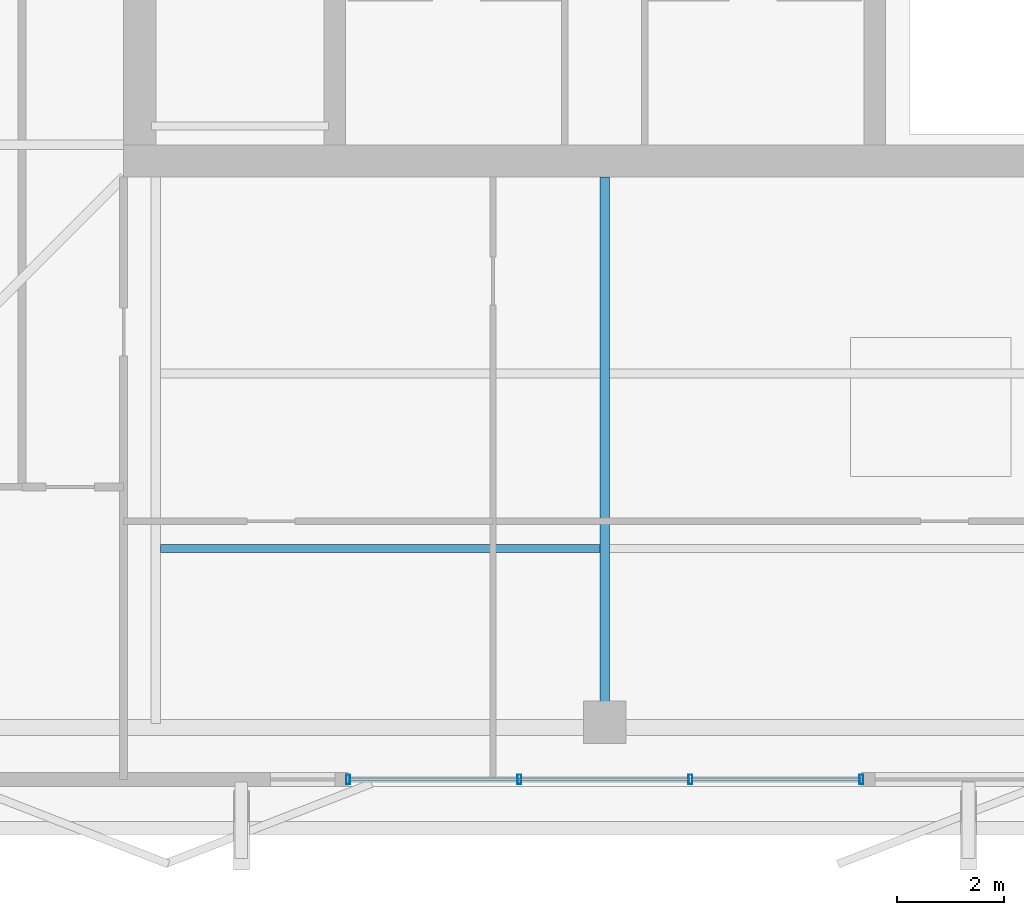
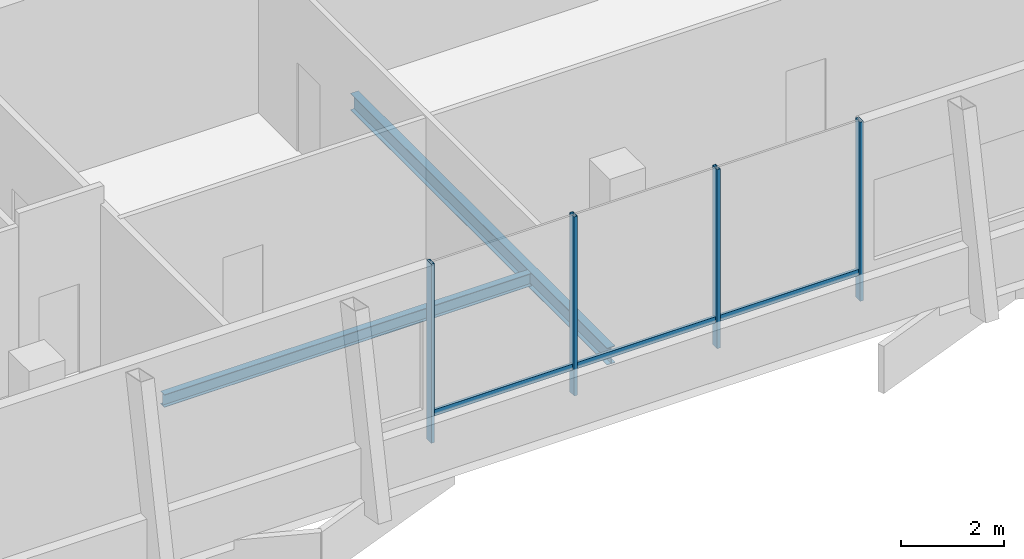
# One storey, part 2 of 17: 7 members, 2 beams, 1 element without a shape of its own.
"""IFC4 building model written with IfcOpenShell, lengths in metres."""

import ifcopenshell
import ifcopenshell.guid

model = None  # the IFC model being written
_history = None  # IfcOwnerHistory: only IFC2X3 demands one
_inside = {}  # id of a spatial element -> (the spatial element, [elements in it])
_under = {}  # id of a project, library or spatial element -> (it, [spatial elements below it])
_declared = {}  # id of a project -> (the project, [libraries it declares])
_typed = {}  # id of a type object -> (the type object, [elements of that type])
_made_of = {}  # id of a material, layer set ... -> (it, [elements and type objects made of it])


def new_model(schema):
    """Start an empty IFC model of exactly this schema.

    Asked for "IFC4X3", IfcOpenShell would pick the latest addendum, in which some entities
    have other attributes; the version numbers below select the first issue.
    IFC2X3 requires an IfcOwnerHistory on every rooted entity: one is made here for all.
    """
    global model, _history
    if schema == "IFC4X3":
        model = ifcopenshell.file(schema_version=(4, 3, 0, 0))
    else:
        model = ifcopenshell.file(schema=schema)
    _inside.clear()
    _under.clear()
    _declared.clear()
    _typed.clear()
    _made_of.clear()
    _history = None
    if model.schema == "IFC2X3":
        org = make("IfcOrganization", Name="unknown")
        user = make(
            "IfcPersonAndOrganization",
            ThePerson=make("IfcPerson", FamilyName="unknown"),
            TheOrganization=org,
        )
        app = make(
            "IfcApplication",
            ApplicationDeveloper=org,
            Version="unknown",
            ApplicationFullName="unknown",
            ApplicationIdentifier="unknown",
        )
        _history = make(
            "IfcOwnerHistory",
            OwningUser=user,
            OwningApplication=app,
            ChangeAction="ADDED",
            CreationDate=0,
        )
    return model


def make(cls, **values):
    """One entity of the class cls with the attributes given. An attribute that is None is left unset."""
    return model.create_entity(
        cls, **{name: value for name, value in values.items() if value is not None}
    )


def rooted(cls, **values):
    """An entity with a GlobalId (a new one), such as an element, a storey or a relation."""
    return make(cls, GlobalId=ifcopenshell.guid.new(), OwnerHistory=_history, **values)


def si_unit(unit_type, name, prefix=None):
    """IfcSIUnit, for example si_unit("LENGTHUNIT", "METRE", prefix="MILLI")."""
    return make("IfcSIUnit", UnitType=unit_type, Prefix=prefix, Name=name)


def assignment(units):
    """IfcUnitAssignment: the units of a project."""
    return None if units is None else make("IfcUnitAssignment", Units=units)


def point(xyz):
    """IfcCartesianPoint."""
    return None if xyz is None else make("IfcCartesianPoint", Coordinates=xyz)


def direction(xyz):
    """IfcDirection."""
    return None if xyz is None else make("IfcDirection", DirectionRatios=xyz)


def frame(location, z_axis=None, x_axis=None):
    """IfcAxis2Placement3D, a coordinate frame: its origin and axes. An axis left out is left unset."""
    return make(
        "IfcAxis2Placement3D",
        Location=point(location),
        Axis=direction(z_axis),
        RefDirection=direction(x_axis),
    )


def frame_2d(location, x_axis=None):
    """IfcAxis2Placement2D, a coordinate frame in the plane: its origin and x axis."""
    return make(
        "IfcAxis2Placement2D", Location=point(location), RefDirection=direction(x_axis)
    )


def origin():
    """The frame at (0, 0, 0) with its axes left unset."""
    return frame((0.0, 0.0, 0.0))


def origin_2d():
    """The frame at (0, 0) in the plane with its x axis left unset."""
    return frame_2d((0.0, 0.0))


def place(relative_to, where):
    """IfcLocalPlacement: puts the frame where relative to a parent placement (None: the world)."""
    return make(
        "IfcLocalPlacement", PlacementRelTo=relative_to, RelativePlacement=where
    )


def context(
    kind, dimensions, precision=None, world=None, true_north=None, identifier=None
):
    """IfcGeometricRepresentationContext, for example the 3D "Model" context."""
    return make(
        "IfcGeometricRepresentationContext",
        ContextIdentifier=identifier,
        ContextType=kind,
        CoordinateSpaceDimension=dimensions,
        Precision=precision,
        WorldCoordinateSystem=world,
        TrueNorth=true_north,
    )


def subcontext(parent, identifier, kind, view, scale=None):
    """IfcGeometricRepresentationSubContext, for example "Body" below "Model"."""
    return make(
        "IfcGeometricRepresentationSubContext",
        ContextIdentifier=identifier,
        ContextType=kind,
        ParentContext=parent,
        TargetScale=scale,
        TargetView=view,
    )


def project(units=None, contexts=None):
    """IfcProject with its units and contexts."""
    return rooted(
        "IfcProject",
        Name="project",
        RepresentationContexts=contexts,
        UnitsInContext=assignment(units),
    )


def spatial(cls, under=None, at=None, **own):
    """A site, building, storey or space (cls), placed at a placement, below another one or the project."""
    s = rooted(cls, ObjectPlacement=at, **own)
    if under is not None:
        _under.setdefault(under.id(), (under, []))[1].append(s)
    return s


def profile(cls, at=None, kind="AREA", **sizes):
    """A parametric profile (cls). Its sizes go by their IFC names, for example OverallWidth=200.0."""
    return make(cls, ProfileType=kind, Position=at, **sizes)


def hollow_rectangle(**sizes):
    """IfcRectangleHollowProfileDef."""
    return profile("IfcRectangleHollowProfileDef", **sizes)


def i_section(**sizes):
    """IfcIShapeProfileDef."""
    return profile("IfcIShapeProfileDef", **sizes)


def extrude(swept, where, along, depth):
    """IfcExtrudedAreaSolid: the profile swept, set in the frame where, extruded along a direction by depth."""
    return make(
        "IfcExtrudedAreaSolid",
        SweptArea=swept,
        Position=where,
        ExtrudedDirection=direction(along),
        Depth=depth,
    )


def shape(context_of_items, identifier, shape_type, items):
    """IfcShapeRepresentation: the items that make up one representation, for example the "Body"."""
    return make(
        "IfcShapeRepresentation",
        ContextOfItems=context_of_items,
        RepresentationIdentifier=identifier,
        RepresentationType=shape_type,
        Items=items,
    )


def material(Name=None, Category=None):
    """IfcMaterial."""
    return make("IfcMaterial", Name=Name, Category=Category)


def layer(
    of_material, thickness, ventilated=None, Name=None, Category=None, Priority=None
):
    """IfcMaterialLayer: one layer of a wall or slab, of a material (None: an air gap)."""
    return make(
        "IfcMaterialLayer",
        Material=of_material,
        LayerThickness=thickness,
        IsVentilated=ventilated,
        Name=Name,
        Category=Category,
        Priority=Priority,
    )


def layer_set(layers, Name=None):
    """IfcMaterialLayerSet."""
    return make("IfcMaterialLayerSet", MaterialLayers=layers, LayerSetName=Name)


def material_profile(
    of_material, cross_section, Name=None, Category=None, Priority=None
):
    """IfcMaterialProfile: a cross section and its material."""
    return make(
        "IfcMaterialProfile",
        Name=Name,
        Material=of_material,
        Profile=cross_section,
        Priority=Priority,
        Category=Category,
    )


def profile_set(profiles, Name=None, composite=None):
    """IfcMaterialProfileSet."""
    return make(
        "IfcMaterialProfileSet",
        Name=Name,
        MaterialProfiles=profiles,
        CompositeProfile=composite,
    )


def made_of(thing, what):
    """Note that an element or type object is made of a material, layer set ...; save() writes the relation."""
    if what is not None:
        _made_of.setdefault(what.id(), (what, []))[1].append(thing)
    return thing


def type_object(cls, material=None, **own):
    """A type object (cls), such as IfcWallType, which elements share."""
    return made_of(rooted(cls, **own), material)


def element(
    cls,
    number,
    at=None,
    inside=None,
    cuts=None,
    type_object=None,
    material=None,
    context=None,
    identifier="Body",
    shape_type=None,
    held_by="IfcProductDefinitionShape",
    body=None,
    shapes=None,
    **own,
):
    """One element of the class cls, such as IfcWall. Its Tag is "e" and its number.

    at: its placement. inside: the storey or other place that contains it. cuts: it is an
    opening in that element (IfcRelVoidsElement). A single representation is given by context,
    identifier, shape_type and body (its items); several are given by shapes. held_by: the class
    of the entity that holds the representations. save() writes the other relations.
    """
    e = rooted(cls, Tag="e%d" % number, ObjectPlacement=at, **own)
    if body is not None:
        shapes = [shape(context, identifier, shape_type, body)]
    if shapes is not None:
        e.Representation = make(held_by, Representations=shapes)
    if inside is not None:
        _inside.setdefault(inside.id(), (inside, []))[1].append(e)
    if cuts is not None:
        rooted(
            "IfcRelVoidsElement", RelatingBuildingElement=cuts, RelatedOpeningElement=e
        )
    if type_object is not None:
        _typed.setdefault(type_object.id(), (type_object, []))[1].append(e)
    return made_of(e, material)


def aggregate(whole, parts):
    """IfcRelAggregates: a whole, such as a stair, and the parts it consists of."""
    return rooted("IfcRelAggregates", RelatingObject=whole, RelatedObjects=parts)


def save(model, path):
    """Write the relations noted so far, then the file.

    IfcRelAggregates (storeys below a building ...), IfcRelContainedInSpatialStructure (elements
    in a storey), IfcRelDefinesByType, IfcRelAssociatesMaterial and IfcRelDeclares: one each for
    every whole, place, type object, material and project.
    """
    for whole, parts in _under.values():
        aggregate(whole, parts)
    for where, things in _inside.values():
        rooted(
            "IfcRelContainedInSpatialStructure",
            RelatedElements=things,
            RelatingStructure=where,
        )
    for kind, things in _typed.values():
        rooted("IfcRelDefinesByType", RelatedObjects=things, RelatingType=kind)
    for what, things in _made_of.values():
        rooted("IfcRelAssociatesMaterial", RelatedObjects=things, RelatingMaterial=what)
    for by, libraries in _declared.values():
        rooted("IfcRelDeclares", RelatingContext=by, RelatedDefinitions=libraries)
    model.write(path)


model = new_model("IFC4")

# Units and contexts
model_context = context("Model", 3, precision=1e-05, world=origin(), true_north=direction((0.0, 1.0)))
body_context = subcontext(model_context, "Body", "Model", "MODEL_VIEW")
ifc_project = project(units=[si_unit("LENGTHUNIT", "METRE"), si_unit("AREAUNIT", "SQUARE_METRE"), si_unit("VOLUMEUNIT", "CUBIC_METRE"), si_unit("PLANEANGLEUNIT", "RADIAN"), si_unit("MASSUNIT", "GRAM", prefix="KILO")], contexts=[model_context])

# Site, building, storey
site_placement = place(None, origin())
site = spatial("IfcSite", under=ifc_project, at=site_placement, CompositionType="ELEMENT")
building_placement = place(site_placement, origin())
building = spatial("IfcBuilding", under=site, at=building_placement, Name="Belovzor Exchange Tower", CompositionType="ELEMENT")
storey_placement = place(building_placement, frame((0.0, 0.0, 355.5)))
storey = spatial("IfcBuildingStorey", under=building, at=storey_placement, Name="L89", CompositionType="ELEMENT", Elevation=355.5)

# Beam
ifc_material_1 = material(Name="Steel S355", Category="steel")
ifc_material_profile_1 = material_profile(ifc_material_1, i_section(OverallWidth=0.14990234375, OverallDepth=0.300048828125, WebThickness=0.007080078125, FlangeThickness=0.0107421875, at=origin_2d()))
ifc_profile_set_1 = profile_set([ifc_material_profile_1], Name="Steel S355")
beam_type_1 = type_object("IfcBeamType", Name="Secondary Trim Floor Joist IPE 300", PredefinedType="BEAM", material=ifc_profile_set_1)
beam_1_placement = place(storey_placement, frame((20.489990234375, 12.847900390625, -0.409912109375), z_axis=(1.0, 0.0, 0.0), x_axis=(0.0, 1.0, 0.0)))
element("IfcBeam", 1, at=beam_1_placement, inside=storey, type_object=beam_type_1, Name="FJ-300 Secondary Trim Floor Joist IPE 300", PredefinedType="BEAM", context=body_context, shape_type="SweptSolid", body=[
    extrude(i_section(OverallWidth=0.14990234375, OverallDepth=0.300048828125, WebThickness=0.007080078125, FlangeThickness=0.0107421875, at=origin_2d()), origin(), (0.0, 0.0, 1.0), 8.219970703125),
])

# Curtain wall, members
ifc_material_2 = material(Name="Anodised Aluminium Framing", Category="aluminium")
ifc_layer = layer(ifc_material_2, 0.169921875)
ifc_layer_set = layer_set([ifc_layer], Name="Anodised Aluminium Framing")
curtain_wall_type = type_object("IfcCurtainWallType", Name="Stepped Crown Faceted Lantern Curtain Wall", PredefinedType="NOTDEFINED", material=ifc_layer_set)
curtain_wall_placement = place(storey_placement, origin())
curtain_wall = element("IfcCurtainWall", 2, at=curtain_wall_placement, inside=storey, type_object=curtain_wall_type, Name="CW6 Stepped Crown Faceted Lantern Curtain Wall L89", PredefinedType="NOTDEFINED")
ifc_material_3 = material(Name="Steel S355", Category="steel")
ifc_material_profile_2 = material_profile(ifc_material_3, hollow_rectangle(XDim=0.074951171875, YDim=0.179931640625, WallThickness=0.0048828125, at=origin_2d()))
ifc_profile_set_2 = profile_set([ifc_material_profile_2], Name="Steel S355")
member_type_1 = type_object("IfcMemberType", Name="Thermally Broken Curtain Wall Mullion 180x75", PredefinedType="MULLION", material=ifc_profile_set_2)
member_1_placement = place(storey_placement, frame((33.60009765625, 8.530029296875, 0.0), z_axis=(0.0, 0.0, 1.0), x_axis=(-1.0, 0.0, 0.0)))
member_1 = element("IfcMember", 3, at=member_1_placement, type_object=member_type_1, Name="CW-M180 Curtain Wall Mullion 1", PredefinedType="MULLION", context=body_context, shape_type="SweptSolid", body=[
    extrude(hollow_rectangle(XDim=0.074951171875, YDim=0.179931640625, WallThickness=0.0048828125, at=origin_2d()), origin(), (0.0, 0.0, 1.0), 4.239990234375),
])
member_2_placement = place(storey_placement, frame((30.39990234375, 8.530029296875, 0.0), z_axis=(0.0, 0.0, 1.0), x_axis=(-1.0, 0.0, 0.0)))
member_2 = element("IfcMember", 4, at=member_2_placement, type_object=member_type_1, Name="CW-M180 Curtain Wall Mullion 2", PredefinedType="MULLION", context=body_context, shape_type="SweptSolid", body=[
    extrude(hollow_rectangle(XDim=0.074951171875, YDim=0.179931640625, WallThickness=0.0048828125, at=origin_2d()), origin(), (0.0, 0.0, 1.0), 4.239990234375),
])
member_3_placement = place(storey_placement, frame((27.199951171875, 8.530029296875, 0.0), z_axis=(0.0, 0.0, 1.0), x_axis=(-1.0, 0.0, 0.0)))
member_3 = element("IfcMember", 5, at=member_3_placement, type_object=member_type_1, Name="CW-M180 Curtain Wall Mullion 3", PredefinedType="MULLION", context=body_context, shape_type="SweptSolid", body=[
    extrude(hollow_rectangle(XDim=0.074951171875, YDim=0.179931640625, WallThickness=0.0048828125, at=origin_2d()), origin(), (0.0, 0.0, 1.0), 4.239990234375),
])
member_4_placement = place(storey_placement, frame((24.0, 8.530029296875, 0.0), z_axis=(0.0, 0.0, 1.0), x_axis=(-1.0, 0.0, 0.0)))
member_4 = element("IfcMember", 6, at=member_4_placement, type_object=member_type_1, Name="CW-M180 Curtain Wall Mullion 4", PredefinedType="MULLION", context=body_context, shape_type="SweptSolid", body=[
    extrude(hollow_rectangle(XDim=0.074951171875, YDim=0.179931640625, WallThickness=0.0048828125, at=origin_2d()), origin(), (0.0, 0.0, 1.0), 4.239990234375),
])
ifc_material_4 = material(Name="Steel S355", Category="steel")
ifc_material_profile_3 = material_profile(ifc_material_4, hollow_rectangle(XDim=0.06005859375, YDim=0.14990234375, WallThickness=0.00390625, at=origin_2d()))
ifc_profile_set_3 = profile_set([ifc_material_profile_3], Name="Steel S355")
member_type_2 = type_object("IfcMemberType", Name="Thermally Broken Curtain Wall Transom 150x60", PredefinedType="USERDEFINED", material=ifc_profile_set_3)
member_5_placement = place(storey_placement, frame((33.592041015625, 8.530029296875, 0.64990234375), z_axis=(-1.0, 0.0, 0.0), x_axis=(0.0, -1.0, 0.0)))
member_5 = element("IfcMember", 7, at=member_5_placement, type_object=member_type_2, Name="CW-T150 Curtain Wall Transom 1", ObjectType="TRANSOM", PredefinedType="USERDEFINED", context=body_context, shape_type="SweptSolid", body=[
    extrude(hollow_rectangle(XDim=0.06005859375, YDim=0.14990234375, WallThickness=0.00390625, at=origin_2d()), origin(), (0.0, 0.0, 1.0), 3.18408203125),
])
member_6_placement = place(storey_placement, frame((30.39208984375, 8.530029296875, 0.64990234375), z_axis=(-1.0, 0.0, 0.0), x_axis=(0.0, -1.0, 0.0)))
member_6 = element("IfcMember", 8, at=member_6_placement, type_object=member_type_2, Name="CW-T150 Curtain Wall Transom 2", ObjectType="TRANSOM", PredefinedType="USERDEFINED", context=body_context, shape_type="SweptSolid", body=[
    extrude(hollow_rectangle(XDim=0.06005859375, YDim=0.14990234375, WallThickness=0.00390625, at=origin_2d()), origin(), (0.0, 0.0, 1.0), 3.18408203125),
])
member_7_placement = place(storey_placement, frame((27.19189453125, 8.530029296875, 0.64990234375), z_axis=(-1.0, 0.0, 0.0), x_axis=(0.0, -1.0, 0.0)))
member_7 = element("IfcMember", 9, at=member_7_placement, type_object=member_type_2, Name="CW-T150 Curtain Wall Transom 3", ObjectType="TRANSOM", PredefinedType="USERDEFINED", context=body_context, shape_type="SweptSolid", body=[
    extrude(hollow_rectangle(XDim=0.06005859375, YDim=0.14990234375, WallThickness=0.00390625, at=origin_2d()), origin(), (0.0, 0.0, 1.0), 3.183837890625),
])
aggregate(curtain_wall, [member_1, member_2, member_3, member_4, member_5, member_6, member_7])

# Beam
ifc_material_5 = material(Name="Steel S355", Category="steel")
ifc_material_profile_4 = material_profile(ifc_material_5, i_section(OverallWidth=0.179931640625, OverallDepth=0.39990234375, WebThickness=0.008544921875, FlangeThickness=0.013427734375, at=origin_2d()))
ifc_profile_set_4 = profile_set([ifc_material_profile_4], Name="Steel S355")
beam_type_2 = type_object("IfcBeamType", Name="Zone 5-6 Radial Composite Floor Beam IPE 400", PredefinedType="BEAM", material=ifc_profile_set_4)
beam_2_placement = place(storey_placement, frame((28.800048828125, 19.800048828125, -0.4599609375), z_axis=(0.0, -1.0, 0.0), x_axis=(1.0, 0.0, 0.0)))
element("IfcBeam", 10, at=beam_2_placement, inside=storey, type_object=beam_type_2, Name="FB-400 Zone 5-6 Radial Composite Floor Beam IPE 400", PredefinedType="BEAM", context=body_context, shape_type="SweptSolid", body=[
    extrude(i_section(OverallWidth=0.179931640625, OverallDepth=0.39990234375, WebThickness=0.008544921875, FlangeThickness=0.013427734375, at=origin_2d()), origin(), (0.0, 0.0, 1.0), 9.9580078125),
])

save(model, "model.ifc")
